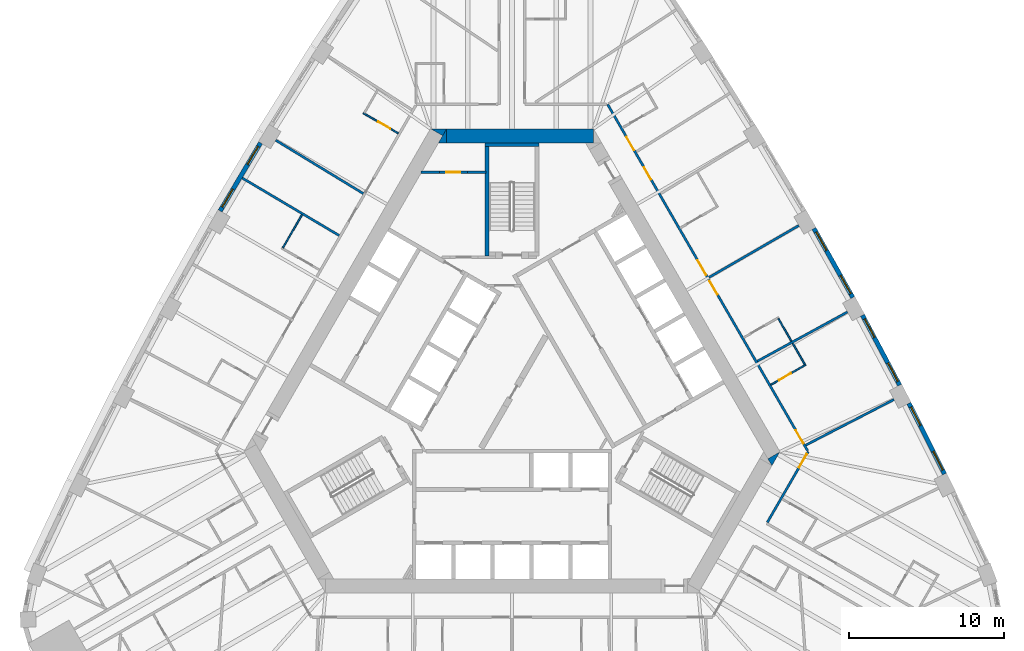
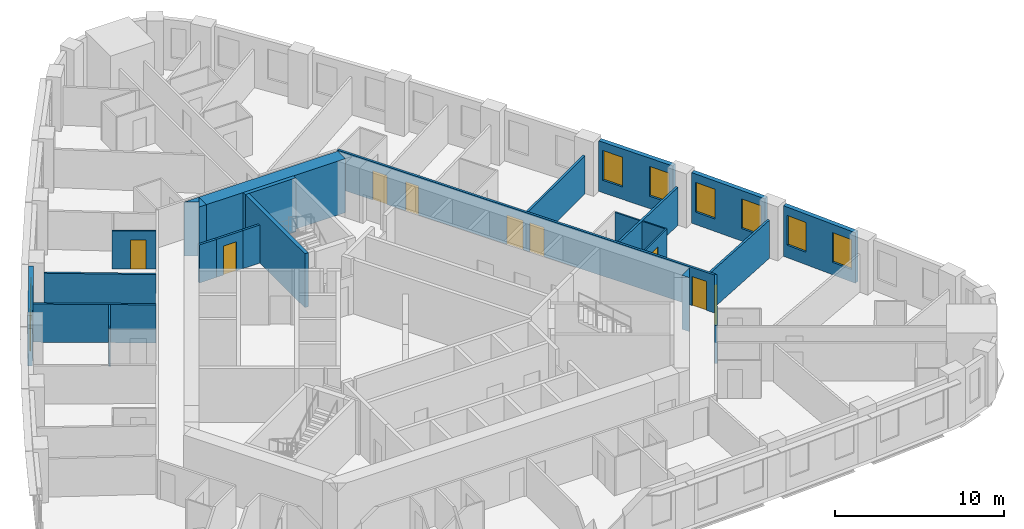
# One storey, part 9 of 12: 25 walls, 9 doors, 8 windows, 17 openings.
"""IFC4 building model written with IfcOpenShell, lengths in metres."""

from ifc_helpers import new_model, si_unit, direction, frame, frame_2d, origin, place, context, subcontext, project, spatial, polyline, rectangle, outline, extrude, material, layer, layer_set, type_object, element, fill, save


model = new_model("IFC4")

# Units and contexts
model_context = context("Model", 3, precision=1e-05, world=origin(), true_north=direction((0.0, 1.0)))
body_context = subcontext(model_context, "Body", "Model", "MODEL_VIEW")
ifc_project = project(units=[si_unit("LENGTHUNIT", "METRE"), si_unit("AREAUNIT", "SQUARE_METRE"), si_unit("VOLUMEUNIT", "CUBIC_METRE"), si_unit("PLANEANGLEUNIT", "RADIAN"), si_unit("MASSUNIT", "GRAM", prefix="KILO")], contexts=[model_context])

# Site, building, storey
site_placement = place(None, origin())
site = spatial("IfcSite", under=ifc_project, at=site_placement, CompositionType="ELEMENT")
building_placement = place(site_placement, origin())
building = spatial("IfcBuilding", under=site, at=building_placement, Name="Mestral Congress Tower", CompositionType="ELEMENT")
storey_placement = place(building_placement, frame((0.0, 0.0, 103.199951171875)))
storey = spatial("IfcBuildingStorey", under=building, at=storey_placement, Name="L24", CompositionType="ELEMENT", Elevation=103.199951171875)

# Walls
ifc_material_1 = material(Name="Fire-rated board partition")
ifc_layer_1 = layer(ifc_material_1, 0.14990234375)
ifc_layer_set_1 = layer_set([ifc_layer_1], Name="Fire-rated board partition")
wall_type_1 = type_object("IfcWallType", Name="Core partition 150", PredefinedType="PARTITIONING", material=ifc_layer_set_1)
wall_1_placement = place(storey_placement, frame((-5.85107421875, 14.10205078125, 0.0), z_axis=(0.0, 0.0, 1.0), x_axis=(1.0, 0.0, 0.0)))
element("IfcWall", 1, at=wall_1_placement, inside=storey, type_object=wall_type_1, Name="L24 core wall", PredefinedType="PARTITIONING", context=body_context, shape_type="SweptSolid", body=[
    extrude(rectangle(XDim=1.18017578125, YDim=0.14990234375, at=frame_2d((0.590087890625, 0.0))), origin(), (0.0, 0.0, 1.0), 2.75),
])
wall_2_placement = place(storey_placement, frame((-2.87060546875, 14.10205078125, 0.0), z_axis=(0.0, 0.0, 1.0), x_axis=(1.0, 0.0, 0.0)))
element("IfcWall", 2, at=wall_2_placement, inside=storey, type_object=wall_type_1, Name="L24 core wall", PredefinedType="PARTITIONING", context=body_context, shape_type="SweptSolid", body=[
    extrude(rectangle(XDim=1.195556640625, YDim=0.14990234375, at=frame_2d((0.59765625, 0.0))), origin(), (0.0, 0.0, 1.0), 2.75),
])

# Wall, opening, door
wall_3_placement = place(storey_placement, frame((-2.870849609375, 14.10205078125, 0.0), z_axis=(0.0, 0.0, 1.0), x_axis=(-1.0, 0.0, 0.0)))
wall_3 = element("IfcWall", 3, at=wall_3_placement, inside=storey, type_object=wall_type_1, Name="L24 door wall", PredefinedType="PARTITIONING", context=body_context, shape_type="SweptSolid", body=[
    extrude(rectangle(XDim=1.800048828125, YDim=0.14990234375, at=frame_2d((0.89990234375, 0.0))), origin(), (0.0, 0.0, 1.0), 2.75),
])
opening_1_placement = place(wall_3_placement, frame((0.449951171875, 0.0, 0.0)))
opening_1 = element("IfcOpeningElement", 4, at=opening_1_placement, cuts=wall_3, Name="Opening SD-WS2", PredefinedType="OPENING", context=body_context, shape_type="SweptSolid", body=[
    extrude(rectangle(XDim=0.89990234375, YDim=2.10009765625, at=frame_2d((0.449951171875, 1.050048828125))), frame((0.0, 0.0849609375, 0.0), z_axis=(0.0, -1.0, 0.0), x_axis=(1.0, 0.0, 0.0)), (0.0, 0.0, 1.0), 0.169921875),
])
ifc_material_2 = material(Name="Fire-rated steel door set", Category="steel")
door_type_1 = type_object("IfcDoorType", Name="Core door SR 900x2100", OperationType="SINGLE_SWING_LEFT", PredefinedType="DOOR", material=ifc_material_2)
door_1_placement = place(opening_1_placement, origin())
door_1 = element("IfcDoor", 5, at=door_1_placement, inside=storey, type_object=door_type_1, Name="Door SD-WS2", OperationType="SINGLE_SWING_LEFT", OverallHeight=2.10009765625, OverallWidth=0.89990234375, PredefinedType="DOOR", context=body_context, shape_type="SweptSolid", body=[
    extrude(rectangle(XDim=0.89990234375, YDim=2.10009765625, at=frame_2d((0.449951171875, 1.050048828125))), frame((0.0, 0.02490234375, 0.0), z_axis=(0.0, -1.0, 0.0), x_axis=(1.0, 0.0, 0.0)), (0.0, 0.0, 1.0), 0.050048828125),
])
fill(opening_1, door_1)

# Walls
ifc_material_3 = material(Name="Concrete C60/75", Category="concrete")
ifc_layer_2 = layer(ifc_material_3, 0.89990234375)
ifc_layer_set_2 = layer_set([ifc_layer_2], Name="Concrete C60/75")
wall_type_2 = type_object("IfcWallType", Name="Core wall RC 900", PredefinedType="SOLIDWALL", material=ifc_layer_set_2)
placement = place(storey_placement, origin())
element("IfcWall", 6, at=placement, inside=storey, type_object=wall_type_2, Name="L24 core wall", PredefinedType="SOLIDWALL", context=body_context, shape_type="SweptSolid", body=[
    extrude(outline(polyline([(16.7431640625, -4.800048828125), (16.4892578125, -4.360107421875), (17.251220703125, -3.920166015625), (16.7431640625, -4.800048828125)])), origin(), (0.0, 0.0, 1.0), 3.900146484375),
])
element("IfcWall", 7, at=placement, inside=storey, type_object=wall_type_2, Name="L24 core wall", PredefinedType="SOLIDWALL", context=body_context, shape_type="SweptSolid", body=[
    extrude(outline(polyline([(-4.214599609375, 16.89990234375), (-4.46875, 16.460205078125), (-5.230712890625, 16.89990234375), (-4.214599609375, 16.89990234375)])), origin(), (0.0, 0.0, 1.0), 3.900146484375),
])
wall_6_placement = place(storey_placement, frame((-4.224365234375, 16.449951171875, 0.0), z_axis=(0.0, 0.0, 1.0), x_axis=(1.0, 0.0, 0.0)))
element("IfcWall", 8, at=wall_6_placement, inside=storey, type_object=wall_type_2, Name="L24 core wall", PredefinedType="SOLIDWALL", context=body_context, shape_type="SweptSolid", body=[
    extrude(rectangle(XDim=9.48779296875, YDim=0.89990234375, at=frame_2d((4.743896484375, 0.0))), origin(), (0.0, 0.0, 1.0), 3.900146484375),
])
element("IfcWall", 9, at=placement, inside=storey, type_object=wall_type_2, Name="L24 core wall", PredefinedType="SOLIDWALL", context=body_context, shape_type="SweptSolid", body=[
    extrude(outline(polyline([(-4.734375, 16.0), (-4.226318359375, 16.8798828125), (-4.226318359375, 16.0), (-4.734375, 16.0)])), origin(), (0.0, 0.0, 1.0), 3.900146484375),
])

# Wall, openings, windows
ifc_material_4 = material(Name="Precast concrete C40/50 with limestone facing", Category="masonry")
ifc_layer_3 = layer(ifc_material_4, 0.2900390625)
ifc_layer_set_3 = layer_set([ifc_layer_3], Name="Precast concrete C40/50 with limestone facing")
wall_type_3 = type_object("IfcWallType", Name="Facade stone wall 290", PredefinedType="SOLIDWALL", material=ifc_layer_set_3)
wall_8_placement = place(storey_placement, frame((27.864013671875, -5.336181640625, 0.0), z_axis=(0.0, 0.0, 1.0), x_axis=(-0.448534297211, 0.893765620409, 0.0)))
wall_8 = element("IfcWall", 10, at=wall_8_placement, inside=storey, type_object=wall_type_3, Name="Facade wall F1-01", PredefinedType="SOLIDWALL", context=body_context, shape_type="SweptSolid", body=[
    extrude(rectangle(XDim=5.10009765625, YDim=0.2900390625, at=frame_2d((2.550048828125, 0.0))), origin(), (0.0, 0.0, 1.0), 3.650146484375),
])
opening_2_placement = place(wall_8_placement, frame((0.2724609375, 0.0, 0.89990234375)))
opening_2 = element("IfcOpeningElement", 11, at=opening_2_placement, cuts=wall_8, Name="Opening W2", PredefinedType="OPENING", context=body_context, shape_type="SweptSolid", body=[
    extrude(rectangle(XDim=1.35009765625, YDim=2.14990234375, at=frame_2d((0.675048828125, 1.074951171875))), frame((0.0, 0.155029296875, 0.0), z_axis=(0.0, -1.0, 0.0), x_axis=(1.0, 0.0, 0.0)), (0.0, 0.0, 1.0), 0.31005859375),
])
opening_3_placement = place(wall_8_placement, frame((3.477783203125, 0.0, 0.89990234375)))
opening_3 = element("IfcOpeningElement", 12, at=opening_3_placement, cuts=wall_8, Name="Opening W2", PredefinedType="OPENING", context=body_context, shape_type="SweptSolid", body=[
    extrude(rectangle(XDim=1.35009765625, YDim=2.14990234375, at=frame_2d((0.675048828125, 1.074951171875))), frame((0.0, 0.155029296875, 0.0), z_axis=(0.0, -1.0, 0.0), x_axis=(1.0, 0.0, 0.0)), (0.0, 0.0, 1.0), 0.31005859375),
])
ifc_material_5 = material(Name="Clear low-emissivity double glazing", Category="glass")
window_type = type_object("IfcWindowType", Name="Facade punched window 1350 x 2150 sill 900", PartitioningType="DOUBLE_PANEL_VERTICAL", PredefinedType="WINDOW", material=ifc_material_5)
window_1_placement = place(opening_2_placement, origin())
window_1 = element("IfcWindow", 13, at=window_1_placement, inside=storey, type_object=window_type, Name="Window F1-01a", OverallHeight=2.14990234375, OverallWidth=1.35009765625, PartitioningType="DOUBLE_PANEL_VERTICAL", PredefinedType="WINDOW", context=body_context, shape_type="SweptSolid", body=[
    extrude(rectangle(XDim=1.35009765625, YDim=2.14990234375, at=frame_2d((0.675048828125, 1.074951171875))), frame((0.0, 0.01513671875, 0.0), z_axis=(0.0, -1.0, 0.0), x_axis=(1.0, 0.0, 0.0)), (0.0, 0.0, 1.0), 0.06005859375),
])
fill(opening_2, window_1)
window_2_placement = place(opening_3_placement, origin())
window_2 = element("IfcWindow", 14, at=window_2_placement, inside=storey, type_object=window_type, Name="Window F1-01b", OverallHeight=2.14990234375, OverallWidth=1.35009765625, PartitioningType="DOUBLE_PANEL_VERTICAL", PredefinedType="WINDOW", context=body_context, shape_type="SweptSolid", body=[
    extrude(rectangle(XDim=1.35009765625, YDim=2.14990234375, at=frame_2d((0.675048828125, 1.074951171875))), frame((0.0, 0.01513671875, 0.0), z_axis=(0.0, -1.0, 0.0), x_axis=(1.0, 0.0, 0.0)), (0.0, 0.0, 1.0), 0.06005859375),
])
fill(opening_3, window_2)

wall_9_placement = place(storey_placement, frame((24.976806640625, 0.3828125, 0.0), z_axis=(0.0, 0.0, 1.0), x_axis=(-0.469323203119, 0.883026461106, 0.0)))
wall_9 = element("IfcWall", 15, at=wall_9_placement, inside=storey, type_object=wall_type_3, Name="Facade wall F1-02", PredefinedType="SOLIDWALL", context=body_context, shape_type="SweptSolid", body=[
    extrude(rectangle(XDim=5.1005859375, YDim=0.2900390625, at=frame_2d((2.55029296875, 0.0))), origin(), (0.0, 0.0, 1.0), 3.650146484375),
])
opening_4_placement = place(wall_9_placement, frame((0.272705078125, 0.0, 0.89990234375)))
opening_4 = element("IfcOpeningElement", 16, at=opening_4_placement, cuts=wall_9, Name="Opening W2", PredefinedType="OPENING", context=body_context, shape_type="SweptSolid", body=[
    extrude(rectangle(XDim=1.35009765625, YDim=2.14990234375, at=frame_2d((0.675048828125, 1.074951171875))), frame((0.0, 0.155029296875, 0.0), z_axis=(0.0, -1.0, 0.0), x_axis=(1.0, 0.0, 0.0)), (0.0, 0.0, 1.0), 0.31005859375),
])
opening_5_placement = place(wall_9_placement, frame((3.477783203125, 0.0, 0.89990234375)))
opening_5 = element("IfcOpeningElement", 17, at=opening_5_placement, cuts=wall_9, Name="Opening W2", PredefinedType="OPENING", context=body_context, shape_type="SweptSolid", body=[
    extrude(rectangle(XDim=1.35009765625, YDim=2.14990234375, at=frame_2d((0.675048828125, 1.074951171875))), frame((0.0, 0.155029296875, 0.0), z_axis=(0.0, -1.0, 0.0), x_axis=(1.0, 0.0, 0.0)), (0.0, 0.0, 1.0), 0.31005859375),
])
window_3_placement = place(opening_4_placement, origin())
window_3 = element("IfcWindow", 18, at=window_3_placement, inside=storey, type_object=window_type, Name="Window F1-02a", OverallHeight=2.14990234375, OverallWidth=1.35009765625, PartitioningType="DOUBLE_PANEL_VERTICAL", PredefinedType="WINDOW", context=body_context, shape_type="SweptSolid", body=[
    extrude(rectangle(XDim=1.35009765625, YDim=2.14990234375, at=frame_2d((0.675048828125, 1.074951171875))), frame((0.0, 0.01513671875, 0.0), z_axis=(0.0, -1.0, 0.0), x_axis=(1.0, 0.0, 0.0)), (0.0, 0.0, 1.0), 0.06005859375),
])
fill(opening_4, window_3)
window_4_placement = place(opening_5_placement, origin())
window_4 = element("IfcWindow", 19, at=window_4_placement, inside=storey, type_object=window_type, Name="Window F1-02b", OverallHeight=2.14990234375, OverallWidth=1.35009765625, PartitioningType="DOUBLE_PANEL_VERTICAL", PredefinedType="WINDOW", context=body_context, shape_type="SweptSolid", body=[
    extrude(rectangle(XDim=1.35009765625, YDim=2.14990234375, at=frame_2d((0.675048828125, 1.074951171875))), frame((0.0, 0.01513671875, 0.0), z_axis=(0.0, -1.0, 0.0), x_axis=(1.0, 0.0, 0.0)), (0.0, 0.0, 1.0), 0.06005859375),
])
fill(opening_5, window_4)

wall_10_placement = place(storey_placement, frame((21.956298828125, 6.033203125, 0.0), z_axis=(0.0, 0.0, 1.0), x_axis=(-0.48983164787, 0.87181704316, 0.0)))
wall_10 = element("IfcWall", 20, at=wall_10_placement, inside=storey, type_object=wall_type_3, Name="Facade wall F1-03", PredefinedType="SOLIDWALL", context=body_context, shape_type="SweptSolid", body=[
    extrude(rectangle(XDim=5.100341796875, YDim=0.2900390625, at=frame_2d((2.55029296875, 0.0))), origin(), (0.0, 0.0, 1.0), 3.650146484375),
])
opening_6_placement = place(wall_10_placement, frame((0.272705078125, 0.0, 0.89990234375)))
opening_6 = element("IfcOpeningElement", 21, at=opening_6_placement, cuts=wall_10, Name="Opening W2", PredefinedType="OPENING", context=body_context, shape_type="SweptSolid", body=[
    extrude(rectangle(XDim=1.35009765625, YDim=2.14990234375, at=frame_2d((0.675048828125, 1.074951171875))), frame((0.0, 0.155029296875, 0.0), z_axis=(0.0, -1.0, 0.0), x_axis=(1.0, 0.0, 0.0)), (0.0, 0.0, 1.0), 0.31005859375),
])
opening_7_placement = place(wall_10_placement, frame((3.477783203125, 0.0, 0.89990234375)))
opening_7 = element("IfcOpeningElement", 22, at=opening_7_placement, cuts=wall_10, Name="Opening W2", PredefinedType="OPENING", context=body_context, shape_type="SweptSolid", body=[
    extrude(rectangle(XDim=1.35009765625, YDim=2.14990234375, at=frame_2d((0.675048828125, 1.074951171875))), frame((0.0, 0.155029296875, 0.0), z_axis=(0.0, -1.0, 0.0), x_axis=(1.0, 0.0, 0.0)), (0.0, 0.0, 1.0), 0.31005859375),
])
window_5_placement = place(opening_6_placement, origin())
window_5 = element("IfcWindow", 23, at=window_5_placement, inside=storey, type_object=window_type, Name="Window F1-03a", OverallHeight=2.14990234375, OverallWidth=1.35009765625, PartitioningType="DOUBLE_PANEL_VERTICAL", PredefinedType="WINDOW", context=body_context, shape_type="SweptSolid", body=[
    extrude(rectangle(XDim=1.35009765625, YDim=2.14990234375, at=frame_2d((0.675048828125, 1.074951171875))), frame((0.0, 0.01513671875, 0.0), z_axis=(0.0, -1.0, 0.0), x_axis=(1.0, 0.0, 0.0)), (0.0, 0.0, 1.0), 0.06005859375),
])
fill(opening_6, window_5)
window_6_placement = place(opening_7_placement, origin())
window_6 = element("IfcWindow", 24, at=window_6_placement, inside=storey, type_object=window_type, Name="Window F1-03b", OverallHeight=2.14990234375, OverallWidth=1.35009765625, PartitioningType="DOUBLE_PANEL_VERTICAL", PredefinedType="WINDOW", context=body_context, shape_type="SweptSolid", body=[
    extrude(rectangle(XDim=1.35009765625, YDim=2.14990234375, at=frame_2d((0.675048828125, 1.074951171875))), frame((0.0, 0.01513671875, 0.0), z_axis=(0.0, -1.0, 0.0), x_axis=(1.0, 0.0, 0.0)), (0.0, 0.0, 1.0), 0.06005859375),
])
fill(opening_7, window_6)

wall_11_placement = place(storey_placement, frame((-16.203125, 15.998291015625, 0.0), z_axis=(0.0, 0.0, 1.0), x_axis=(-0.510054281659, -0.860142214847, 0.0)))
wall_11 = element("IfcWall", 25, at=wall_11_placement, inside=storey, type_object=wall_type_3, Name="Facade wall F2-03", PredefinedType="SOLIDWALL", context=body_context, shape_type="SweptSolid", body=[
    extrude(rectangle(XDim=5.1005859375, YDim=0.2900390625, at=frame_2d((2.55029296875, 0.0))), origin(), (0.0, 0.0, 1.0), 3.650146484375),
])
opening_8_placement = place(wall_11_placement, frame((0.272705078125, 0.0, 0.89990234375)))
opening_8 = element("IfcOpeningElement", 26, at=opening_8_placement, cuts=wall_11, Name="Opening W2", PredefinedType="OPENING", context=body_context, shape_type="SweptSolid", body=[
    extrude(rectangle(XDim=1.35009765625, YDim=2.14990234375, at=frame_2d((0.675048828125, 1.074951171875))), frame((0.0, 0.155029296875, 0.0), z_axis=(0.0, -1.0, 0.0), x_axis=(1.0, 0.0, 0.0)), (0.0, 0.0, 1.0), 0.31005859375),
])
opening_9_placement = place(wall_11_placement, frame((3.477783203125, 0.0, 0.89990234375)))
opening_9 = element("IfcOpeningElement", 27, at=opening_9_placement, cuts=wall_11, Name="Opening W2", PredefinedType="OPENING", context=body_context, shape_type="SweptSolid", body=[
    extrude(rectangle(XDim=1.35009765625, YDim=2.14990234375, at=frame_2d((0.675048828125, 1.074951171875))), frame((0.0, 0.155029296875, 0.0), z_axis=(0.0, -1.0, 0.0), x_axis=(1.0, 0.0, 0.0)), (0.0, 0.0, 1.0), 0.31005859375),
])
window_7_placement = place(opening_8_placement, origin())
window_7 = element("IfcWindow", 28, at=window_7_placement, inside=storey, type_object=window_type, Name="Window F2-03a", OverallHeight=2.14990234375, OverallWidth=1.35009765625, PartitioningType="DOUBLE_PANEL_VERTICAL", PredefinedType="WINDOW", context=body_context, shape_type="SweptSolid", body=[
    extrude(rectangle(XDim=1.35009765625, YDim=2.14990234375, at=frame_2d((0.675048828125, 1.074951171875))), frame((0.0, 0.01513671875, 0.0), z_axis=(0.0, -1.0, 0.0), x_axis=(1.0, 0.0, 0.0)), (0.0, 0.0, 1.0), 0.06005859375),
])
fill(opening_8, window_7)
window_8_placement = place(opening_9_placement, origin())
window_8 = element("IfcWindow", 29, at=window_8_placement, inside=storey, type_object=window_type, Name="Window F2-03b", OverallHeight=2.14990234375, OverallWidth=1.35009765625, PartitioningType="DOUBLE_PANEL_VERTICAL", PredefinedType="WINDOW", context=body_context, shape_type="SweptSolid", body=[
    extrude(rectangle(XDim=1.35009765625, YDim=2.14990234375, at=frame_2d((0.675048828125, 1.074951171875))), frame((0.0, 0.01513671875, 0.0), z_axis=(0.0, -1.0, 0.0), x_axis=(1.0, 0.0, 0.0)), (0.0, 0.0, 1.0), 0.06005859375),
])
fill(opening_9, window_8)

# Wall, opening, door
ifc_material_6 = material(Name="Gypsum board partition on metal studs with mineral wool", Category="composite")
ifc_layer_4 = layer(ifc_material_6, 0.10009765625)
ifc_layer_set_4 = layer_set([ifc_layer_4], Name="Gypsum board partition on metal studs with mineral wool")
wall_type_4 = type_object("IfcWallType", Name="Hotel partition wall 100", PredefinedType="PARTITIONING", material=ifc_layer_set_4)
wall_12_placement = place(storey_placement, frame((16.681396484375, 0.406982421875, 0.0), z_axis=(0.0, 0.0, 1.0), x_axis=(0.866021400173, 0.500006934395, 0.0)))
wall_12 = element("IfcWall", 30, at=wall_12_placement, inside=storey, type_object=wall_type_4, Name="L24-h-pod11a", PredefinedType="PARTITIONING", context=body_context, shape_type="SweptSolid", body=[
    extrude(rectangle(XDim=2.60009765625, YDim=0.10009765625, at=frame_2d((1.300048828125, 0.0))), origin(), (0.0, 0.0, 1.0), 2.75),
])
opening_10_placement = place(wall_12_placement, frame((0.60009765625, 0.0, 0.0)))
opening_10 = element("IfcOpeningElement", 31, at=opening_10_placement, cuts=wall_12, Name="Opening H07-022", PredefinedType="OPENING", context=body_context, shape_type="SweptSolid", body=[
    extrude(rectangle(XDim=0.89990234375, YDim=2.10009765625, at=frame_2d((0.449951171875, 1.050048828125))), frame((0.0, 0.06005859375, 0.0), z_axis=(0.0, -1.0, 0.0), x_axis=(1.0, 0.0, 0.0)), (0.0, 0.0, 1.0), 0.1201171875),
])
ifc_material_7 = material(Name="Timber veneer door leaf in timber frame", Category="wood")
door_type_2 = type_object("IfcDoorType", Name="Bathroom door 900", OperationType="SINGLE_SWING_LEFT", PredefinedType="DOOR", material=ifc_material_7)
door_2_placement = place(opening_10_placement, origin())
door_2 = element("IfcDoor", 32, at=door_2_placement, inside=storey, type_object=door_type_2, Name="L24-h-d022", OperationType="SINGLE_SWING_LEFT", OverallHeight=2.10009765625, OverallWidth=0.89990234375, PredefinedType="DOOR", context=body_context, shape_type="SweptSolid", body=[
    extrude(rectangle(XDim=0.89990234375, YDim=2.10009765625, at=frame_2d((0.449951171875, 1.050048828125))), frame((0.0, 0.02490234375, 0.0), z_axis=(0.0, -1.0, 0.0), x_axis=(1.0, 0.0, 0.0)), (0.0, 0.0, 1.0), 0.050048828125),
])
fill(opening_10, door_2)

# Walls
wall_13_placement = place(storey_placement, frame((18.85986328125, 1.73388671875, 0.0), z_axis=(0.0, 0.0, 1.0), x_axis=(-0.500017819788, 0.86601511528, 0.0)))
element("IfcWall", 33, at=wall_13_placement, inside=storey, type_object=wall_type_4, Name="L24-h-pod11b", PredefinedType="PARTITIONING", context=body_context, shape_type="SweptSolid", body=[
    extrude(rectangle(XDim=1.55029296875, YDim=0.10009765625, at=frame_2d((0.775146484375, 0.0))), origin(), (0.0, 0.0, 1.0), 2.75),
])
wall_14_placement = place(storey_placement, frame((17.160888671875, 4.6767578125, 0.0), z_axis=(0.0, 0.0, 1.0), x_axis=(0.499890179513, -0.866088799389, 0.0)))
element("IfcWall", 34, at=wall_14_placement, inside=storey, type_object=wall_type_4, Name="L24-h-pod12b", PredefinedType="PARTITIONING", context=body_context, shape_type="SweptSolid", body=[
    extrude(rectangle(XDim=1.68017578125, YDim=0.10009765625, at=frame_2d((0.840087890625, 0.0))), origin(), (0.0, 0.0, 1.0), 2.75),
])

# Wall, opening, door
wall_15_placement = place(storey_placement, frame((-9.57763671875, 17.910888671875, 0.0), z_axis=(0.0, 0.0, 1.0), x_axis=(0.866021400173, -0.500006934395, 0.0)))
wall_15 = element("IfcWall", 35, at=wall_15_placement, inside=storey, type_object=wall_type_4, Name="L24-h-pod20a", PredefinedType="PARTITIONING", context=body_context, shape_type="SweptSolid", body=[
    extrude(rectangle(XDim=2.60009765625, YDim=0.10009765625, at=frame_2d((1.300048828125, 0.0))), origin(), (0.0, 0.0, 1.0), 2.75),
])
opening_11_placement = place(wall_15_placement, frame((1.10009765625, 0.0, 0.0)))
opening_11 = element("IfcOpeningElement", 36, at=opening_11_placement, cuts=wall_15, Name="Opening H07-039", PredefinedType="OPENING", context=body_context, shape_type="SweptSolid", body=[
    extrude(rectangle(XDim=0.89990234375, YDim=2.10009765625, at=frame_2d((0.449951171875, 1.050048828125))), frame((0.0, 0.06005859375, 0.0), z_axis=(0.0, -1.0, 0.0), x_axis=(1.0, 0.0, 0.0)), (0.0, 0.0, 1.0), 0.1201171875),
])
door_3_placement = place(opening_11_placement, origin())
door_3 = element("IfcDoor", 37, at=door_3_placement, inside=storey, type_object=door_type_2, Name="L24-h-d039", OperationType="SINGLE_SWING_LEFT", OverallHeight=2.10009765625, OverallWidth=0.89990234375, PredefinedType="DOOR", context=body_context, shape_type="SweptSolid", body=[
    extrude(rectangle(XDim=0.89990234375, YDim=2.10009765625, at=frame_2d((0.449951171875, 1.050048828125))), frame((0.0, 0.02490234375, 0.0), z_axis=(0.0, -1.0, 0.0), x_axis=(1.0, 0.0, 0.0)), (0.0, 0.0, 1.0), 0.050048828125),
])
fill(opening_11, door_3)

# Wall
wall_16_placement = place(storey_placement, frame((-14.761962890625, 9.2314453125, 0.0), z_axis=(0.0, 0.0, 1.0), x_axis=(0.500003092839, 0.866023618125, 0.0)))
element("IfcWall", 38, at=wall_16_placement, inside=storey, type_object=wall_type_4, Name="L24-h-pod22b", PredefinedType="PARTITIONING", context=body_context, shape_type="SweptSolid", body=[
    extrude(rectangle(XDim=2.4599609375, YDim=0.10009765625, at=frame_2d((1.22998046875, 0.0))), origin(), (0.0, 0.0, 1.0), 2.75),
])

# Wall, opening, door
ifc_layer_5 = layer(ifc_material_6, 0.14990234375)
ifc_layer_set_5 = layer_set([ifc_layer_5], Name="Gypsum board partition on metal studs with mineral wool")
wall_type_5 = type_object("IfcWallType", Name="Hotel partition wall 150", PredefinedType="PARTITIONING", material=ifc_layer_set_5)
wall_17_placement = place(storey_placement, frame((19.081298828125, -3.89990234375, 0.0), z_axis=(0.0, 0.0, 1.0), x_axis=(-0.499974327079, -0.866040225545, 0.0)))
wall_17 = element("IfcWall", 39, at=wall_17_placement, inside=storey, type_object=wall_type_5, Name="L24-h-cw02", PredefinedType="PARTITIONING", context=body_context, shape_type="SweptSolid", body=[
    extrude(rectangle(XDim=5.258056640625, YDim=0.14990234375, at=frame_2d((2.62890625, 0.0))), origin(), (0.0, 0.0, 1.0), 2.75),
])
opening_12_placement = place(wall_17_placement, frame((0.179931640625, 0.0, 0.0)))
opening_12 = element("IfcOpeningElement", 40, at=opening_12_placement, cuts=wall_17, Name="Opening H07-019", PredefinedType="OPENING", context=body_context, shape_type="SweptSolid", body=[
    extrude(rectangle(XDim=1.0, YDim=2.10009765625, at=frame_2d((0.5, 1.050048828125))), frame((0.0, 0.0849609375, 0.0), z_axis=(0.0, -1.0, 0.0), x_axis=(1.0, 0.0, 0.0)), (0.0, 0.0, 1.0), 0.169921875),
])
ifc_material_8 = material(Name="Timber veneer door leaf in metal frame", Category="wood")
door_type_3 = type_object("IfcDoorType", Name="Guest room entrance door 1000", OperationType="SINGLE_SWING_LEFT", PredefinedType="DOOR", material=ifc_material_8)
door_4_placement = place(opening_12_placement, origin())
door_4 = element("IfcDoor", 41, at=door_4_placement, inside=storey, type_object=door_type_3, Name="L24-h-d019", OperationType="SINGLE_SWING_LEFT", OverallHeight=2.10009765625, OverallWidth=1.0, PredefinedType="DOOR", context=body_context, shape_type="SweptSolid", body=[
    extrude(rectangle(XDim=1.0, YDim=2.10009765625, at=frame_2d((0.5, 1.050048828125))), frame((0.0, 0.02490234375, 0.0), z_axis=(0.0, -1.0, 0.0), x_axis=(1.0, 0.0, 0.0)), (0.0, 0.0, 1.0), 0.050048828125),
])
fill(opening_12, door_4)

# Wall, openings, doors
wall_18_placement = place(storey_placement, frame((6.1630859375, 18.47509765625, 0.0), z_axis=(0.0, 0.0, 1.0), x_axis=(0.500001317485, -0.866024643133, 0.0)))
wall_18 = element("IfcWall", 42, at=wall_18_placement, inside=storey, type_object=wall_type_5, Name="L24-h-cw03", PredefinedType="PARTITIONING", context=body_context, shape_type="SweptSolid", body=[
    extrude(rectangle(XDim=25.7666015625, YDim=0.14990234375, at=frame_2d((12.88330078125, 0.0))), origin(), (0.0, 0.0, 1.0), 2.75),
])
opening_13_placement = place(wall_18_placement, frame((24.24072265625, 0.0, 0.0)))
opening_13 = element("IfcOpeningElement", 43, at=opening_13_placement, cuts=wall_18, Name="Opening H07-021", PredefinedType="OPENING", context=body_context, shape_type="SweptSolid", body=[
    extrude(rectangle(XDim=1.0, YDim=2.10009765625, at=frame_2d((0.5, 1.050048828125))), frame((0.0, 0.0849609375, 0.0), z_axis=(0.0, -1.0, 0.0), x_axis=(1.0, 0.0, 0.0)), (0.0, 0.0, 1.0), 0.169921875),
])
opening_14_placement = place(wall_18_placement, frame((13.143798828125, 0.0, 0.0)))
opening_14 = element("IfcOpeningElement", 44, at=opening_14_placement, cuts=wall_18, Name="Opening H07-023", PredefinedType="OPENING", context=body_context, shape_type="SweptSolid", body=[
    extrude(rectangle(XDim=1.0, YDim=2.10009765625, at=frame_2d((0.5, 1.050048828125))), frame((0.0, 0.0849609375, 0.0), z_axis=(0.0, -1.0, 0.0), x_axis=(1.0, 0.0, 0.0)), (0.0, 0.0, 1.0), 0.169921875),
])
opening_15_placement = place(wall_18_placement, frame((11.59228515625, 0.0, 0.0)))
opening_15 = element("IfcOpeningElement", 45, at=opening_15_placement, cuts=wall_18, Name="Opening H07-025", PredefinedType="OPENING", context=body_context, shape_type="SweptSolid", body=[
    extrude(rectangle(XDim=1.10009765625, YDim=2.10009765625, at=frame_2d((0.550048828125, 1.050048828125))), frame((0.0, 0.0849609375, 0.0), z_axis=(0.0, -1.0, 0.0), x_axis=(1.0, 0.0, 0.0)), (0.0, 0.0, 1.0), 0.169921875),
])
opening_16_placement = place(wall_18_placement, frame((4.674072265625, 0.0, 0.0)))
opening_16 = element("IfcOpeningElement", 46, at=opening_16_placement, cuts=wall_18, Name="Opening H07-027", PredefinedType="OPENING", context=body_context, shape_type="SweptSolid", body=[
    extrude(rectangle(XDim=0.89990234375, YDim=2.10009765625, at=frame_2d((0.449951171875, 1.050048828125))), frame((0.0, 0.0849609375, 0.0), z_axis=(0.0, -1.0, 0.0), x_axis=(1.0, 0.0, 0.0)), (0.0, 0.0, 1.0), 0.169921875),
])
opening_17_placement = place(wall_18_placement, frame((2.410888671875, 0.0, 0.0)))
opening_17 = element("IfcOpeningElement", 47, at=opening_17_placement, cuts=wall_18, Name="Opening H07-028", PredefinedType="OPENING", context=body_context, shape_type="SweptSolid", body=[
    extrude(rectangle(XDim=1.0, YDim=2.10009765625, at=frame_2d((0.5, 1.050048828125))), frame((0.0, 0.0849609375, 0.0), z_axis=(0.0, -1.0, 0.0), x_axis=(1.0, 0.0, 0.0)), (0.0, 0.0, 1.0), 0.169921875),
])
door_type_4 = type_object("IfcDoorType", Name="Accessible room entrance door 1100", OperationType="SINGLE_SWING_LEFT", PredefinedType="DOOR", material=ifc_material_8)
door_5_placement = place(opening_15_placement, origin())
door_5 = element("IfcDoor", 48, at=door_5_placement, inside=storey, type_object=door_type_4, Name="L24-h-d025", OperationType="SINGLE_SWING_RIGHT", OverallHeight=2.10009765625, OverallWidth=1.10009765625, PredefinedType="DOOR", context=body_context, shape_type="SweptSolid", body=[
    extrude(rectangle(XDim=1.10009765625, YDim=2.10009765625, at=frame_2d((0.550048828125, 1.050048828125))), frame((0.0, 0.02490234375, 0.0), z_axis=(0.0, -1.0, 0.0), x_axis=(1.0, 0.0, 0.0)), (0.0, 0.0, 1.0), 0.050048828125),
])
fill(opening_15, door_5)
door_6_placement = place(opening_13_placement, origin())
door_6 = element("IfcDoor", 49, at=door_6_placement, inside=storey, type_object=door_type_3, Name="L24-h-d021", OperationType="SINGLE_SWING_RIGHT", OverallHeight=2.10009765625, OverallWidth=1.0, PredefinedType="DOOR", context=body_context, shape_type="SweptSolid", body=[
    extrude(rectangle(XDim=1.0, YDim=2.10009765625, at=frame_2d((0.5, 1.050048828125))), frame((0.0, 0.02490234375, 0.0), z_axis=(0.0, -1.0, 0.0), x_axis=(1.0, 0.0, 0.0)), (0.0, 0.0, 1.0), 0.050048828125),
])
fill(opening_13, door_6)
door_7_placement = place(opening_14_placement, origin())
door_7 = element("IfcDoor", 50, at=door_7_placement, inside=storey, type_object=door_type_3, Name="L24-h-d023", OperationType="SINGLE_SWING_LEFT", OverallHeight=2.10009765625, OverallWidth=1.0, PredefinedType="DOOR", context=body_context, shape_type="SweptSolid", body=[
    extrude(rectangle(XDim=1.0, YDim=2.10009765625, at=frame_2d((0.5, 1.050048828125))), frame((0.0, 0.02490234375, 0.0), z_axis=(0.0, -1.0, 0.0), x_axis=(1.0, 0.0, 0.0)), (0.0, 0.0, 1.0), 0.050048828125),
])
fill(opening_14, door_7)
door_8_placement = place(opening_17_placement, origin())
door_8 = element("IfcDoor", 51, at=door_8_placement, inside=storey, type_object=door_type_3, Name="L24-h-d028", OperationType="SINGLE_SWING_RIGHT", OverallHeight=2.10009765625, OverallWidth=1.0, PredefinedType="DOOR", context=body_context, shape_type="SweptSolid", body=[
    extrude(rectangle(XDim=1.0, YDim=2.10009765625, at=frame_2d((0.5, 1.050048828125))), frame((0.0, 0.02490234375, 0.0), z_axis=(0.0, -1.0, 0.0), x_axis=(1.0, 0.0, 0.0)), (0.0, 0.0, 1.0), 0.050048828125),
])
fill(opening_17, door_8)
door_type_5 = type_object("IfcDoorType", Name="Service room door 900", OperationType="SINGLE_SWING_LEFT", PredefinedType="DOOR", material=ifc_material_8)
door_9_placement = place(opening_16_placement, origin())
door_9 = element("IfcDoor", 52, at=door_9_placement, inside=storey, type_object=door_type_5, Name="L24-h-d027", OperationType="SINGLE_SWING_RIGHT", OverallHeight=2.10009765625, OverallWidth=0.89990234375, PredefinedType="DOOR", context=body_context, shape_type="SweptSolid", body=[
    extrude(rectangle(XDim=0.89990234375, YDim=2.10009765625, at=frame_2d((0.449951171875, 1.050048828125))), frame((0.0, 0.02490234375, 0.0), z_axis=(0.0, -1.0, 0.0), x_axis=(1.0, 0.0, 0.0)), (0.0, 0.0, 1.0), 0.050048828125),
])
fill(opening_16, door_9)

# Walls
wall_19_placement = place(storey_placement, frame((-17.379150390625, 13.730712890625, 0.0), z_axis=(0.0, 0.0, 1.0), x_axis=(0.860132461691, -0.510070728768, 0.0)))
element("IfcWall", 53, at=wall_19_placement, inside=storey, type_object=wall_type_5, Name="L24-h-pw09", PredefinedType="PARTITIONING", context=body_context, shape_type="SweptSolid", body=[
    extrude(rectangle(XDim=7.256591796875, YDim=0.14990234375, at=frame_2d((3.62841796875, 0.0))), origin(), (0.0, 0.0, 1.0), 2.75),
])
wall_20_placement = place(storey_placement, frame((-15.22509765625, 16.16748046875, 0.0), z_axis=(0.0, 0.0, 1.0), x_axis=(0.854088713274, -0.520127359266, 0.0)))
element("IfcWall", 54, at=wall_20_placement, inside=storey, type_object=wall_type_5, Name="L24-h-pw10", PredefinedType="PARTITIONING", context=body_context, shape_type="SweptSolid", body=[
    extrude(rectangle(XDim=6.61083984375, YDim=0.14990234375, at=frame_2d((3.305419921875, 0.0))), origin(), (0.0, 0.0, 1.0), 2.75),
])
wall_21_placement = place(storey_placement, frame((18.484130859375, 10.671875, 0.0), z_axis=(0.0, 0.0, 1.0), x_axis=(-0.866019162053, -0.50001081084, 0.0)))
element("IfcWall", 55, at=wall_21_placement, inside=storey, type_object=wall_type_5, Name="L24-h-pw23", PredefinedType="PARTITIONING", context=body_context, shape_type="SweptSolid", body=[
    extrude(rectangle(XDim=6.693603515625, YDim=0.14990234375, at=frame_2d((3.3466796875, 0.0))), origin(), (0.0, 0.0, 1.0), 2.75),
])
wall_22_placement = place(storey_placement, frame((21.614013671875, 5.1015625, 0.0), z_axis=(0.0, 0.0, 1.0), x_axis=(-0.877484555087, -0.479604895287, 0.0)))
element("IfcWall", 56, at=wall_22_placement, inside=storey, type_object=wall_type_5, Name="L24-h-pw24", PredefinedType="PARTITIONING", context=body_context, shape_type="SweptSolid", body=[
    extrude(rectangle(XDim=6.611083984375, YDim=0.14990234375, at=frame_2d((3.3056640625, 0.0))), origin(), (0.0, 0.0, 1.0), 2.75),
])
wall_23_placement = place(storey_placement, frame((24.612548828125, -0.54052734375, 0.0), z_axis=(0.0, 0.0, 1.0), x_axis=(-0.888459912519, -0.458954228487, 0.0)))
element("IfcWall", 57, at=wall_23_placement, inside=storey, type_object=wall_type_5, Name="L24-h-pw26", PredefinedType="PARTITIONING", context=body_context, shape_type="SweptSolid", body=[
    extrude(rectangle(XDim=6.391845703125, YDim=0.14990234375, at=frame_2d((3.19580078125, 0.0))), origin(), (0.0, 0.0, 1.0), 2.75),
])
ifc_layer_6 = layer(ifc_material_3, 0.25)
ifc_layer_set_6 = layer_set([ifc_layer_6], Name="Concrete C60/75")
wall_type_6 = type_object("IfcWallType", Name="Stair wall RC 250", PredefinedType="SOLIDWALL", material=ifc_layer_set_6)
wall_24_placement = place(storey_placement, frame((-1.72509765625, 15.875, 0.0), z_axis=(0.0, 0.0, 1.0), x_axis=(1.0, 0.0, 0.0)))
element("IfcWall", 58, at=wall_24_placement, inside=storey, type_object=wall_type_6, Name="L24 core wall", PredefinedType="SOLIDWALL", context=body_context, shape_type="SweptSolid", body=[
    extrude(rectangle(XDim=3.4501953125, YDim=0.25, at=frame_2d((1.72509765625, 0.0))), origin(), (0.0, 0.0, 1.0), 3.900146484375),
])
wall_25_placement = place(storey_placement, frame((-1.60009765625, 8.699951171875, 0.0), z_axis=(0.0, 0.0, 1.0), x_axis=(0.0, 1.0, 0.0)))
element("IfcWall", 59, at=wall_25_placement, inside=storey, type_object=wall_type_6, Name="L24 core wall", PredefinedType="SOLIDWALL", context=body_context, shape_type="SweptSolid", body=[
    extrude(rectangle(XDim=7.050048828125, YDim=0.25, at=frame_2d((3.52490234375, 0.0))), origin(), (0.0, 0.0, 1.0), 3.900146484375),
])

save(model, "model.ifc")
